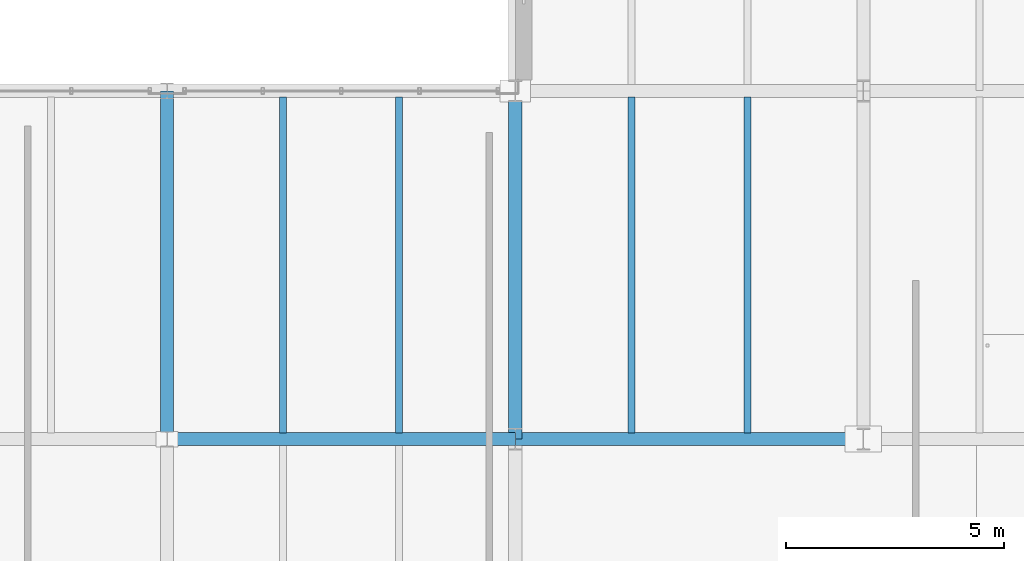
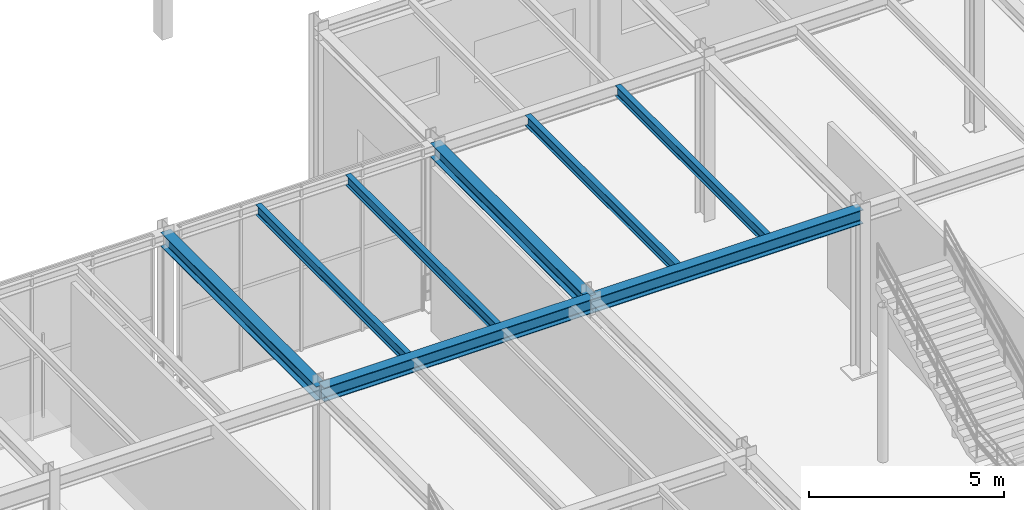
# One storey, part 37 of 129: 8 beams.
"""IFC4 building model written with IfcOpenShell, lengths in metres."""

from ifc_helpers import new_model, si_unit, direction, frame, origin, origin_2d, place, context, subcontext, project, spatial, i_section, extrude, material, material_profile, profile_set, type_object, element, save


model = new_model("IFC4")

# Units and contexts
model_context = context("Model", 3, precision=1e-05, world=origin(), true_north=direction((0.0, 1.0)))
body_context = subcontext(model_context, "Body", "Model", "MODEL_VIEW")
ifc_project = project(units=[si_unit("LENGTHUNIT", "METRE"), si_unit("AREAUNIT", "SQUARE_METRE"), si_unit("VOLUMEUNIT", "CUBIC_METRE"), si_unit("PLANEANGLEUNIT", "RADIAN"), si_unit("MASSUNIT", "GRAM", prefix="KILO")], contexts=[model_context])

# Site, building, storey
site_placement = place(None, origin())
site = spatial("IfcSite", under=ifc_project, at=site_placement, CompositionType="ELEMENT")
building_placement = place(site_placement, origin())
building = spatial("IfcBuilding", under=site, at=building_placement, Name="Sundkrona Museum", CompositionType="ELEMENT")
storey_placement = place(building_placement, origin())
storey = spatial("IfcBuildingStorey", under=building, at=storey_placement, Name="L00", CompositionType="ELEMENT", Elevation=0.0)

# Beams
ifc_material = material(Name="Steel S355J2", Category="steel")
ifc_material_profile_1 = material_profile(ifc_material, i_section(OverallWidth=0.300048828125, OverallDepth=0.43994140625, WebThickness=0.011474609375, FlangeThickness=0.02099609375, FilletRadius=0.027099609375, at=origin_2d()), Name="HEA 450")
ifc_profile_set_1 = profile_set([ifc_material_profile_1], Name="Steel S355J2")
beam_type_1 = type_object("IfcBeamType", Name="B-HEA450", PredefinedType="BEAM", material=ifc_profile_set_1)
for number, where, z_axis, x_axis, name in (
    (1, (112.0, 32.0, 4.919921875), (1.0, 0.0, 0.0), (0.0, 1.0, 0.0), "L00 Girder X-0461"),
    (2, (120.0, 32.0, 4.919921875), (1.0, 0.0, 0.0), (0.0, 1.0, 0.0), "L00 Girder X-0462"),
    (3, (112.0, 32.0, 4.919921875), (0.0, 1.0, 0.0), (-1.0, 0.0, 0.0), "L00 Girder Y-0720"),
    (4, (120.0, 32.0, 4.919921875), (0.0, 1.0, 0.0), (-1.0, 0.0, 0.0), "L00 Girder Y-0730"),
):
    element("IfcBeam", number, at=place(storey_placement, frame(where, z_axis=z_axis, x_axis=x_axis)), inside=storey, type_object=beam_type_1, Name=name, PredefinedType="BEAM", context=body_context, shape_type="SweptSolid", body=[
        extrude(i_section(OverallWidth=0.300048828125, OverallDepth=0.43994140625, WebThickness=0.011474609375, FlangeThickness=0.02099609375, FilletRadius=0.027099609375, at=origin_2d()), origin(), (0.0, 0.0, 1.0), 8.0),
    ])
ifc_material_profile_2 = material_profile(ifc_material, i_section(OverallWidth=0.159912109375, OverallDepth=0.330078125, WebThickness=0.007568359375, FlangeThickness=0.011474609375, FilletRadius=0.01806640625, at=origin_2d()), Name="IPE 330")
ifc_profile_set_2 = profile_set([ifc_material_profile_2], Name="Steel S355J2")
beam_type_2 = type_object("IfcBeamType", Name="J-IPE330", PredefinedType="JOIST", material=ifc_profile_set_2)
for number, where, z_axis, x_axis, name in (
    (5, (114.666748046875, 32.14404296875, 4.97509765625), (0.0, 1.0, 0.0), (-1.0, 0.0, 0.0), "L00 Composite Joist 0453"),
    (6, (117.333251953125, 32.14404296875, 4.97509765625), (0.0, 1.0, 0.0), (-1.0, 0.0, 0.0), "L00 Composite Joist 0454"),
    (7, (122.666748046875, 32.14404296875, 4.97509765625), (0.0, 1.0, 0.0), (-1.0, 0.0, 0.0), "L00 Composite Joist 0457"),
    (8, (125.333251953125, 32.14404296875, 4.97509765625), (0.0, 1.0, 0.0), (-1.0, 0.0, 0.0), "L00 Composite Joist 0458"),
):
    element("IfcBeam", number, at=place(storey_placement, frame(where, z_axis=z_axis, x_axis=x_axis)), inside=storey, type_object=beam_type_2, Name=name, PredefinedType="JOIST", context=body_context, shape_type="SweptSolid", body=[
        extrude(i_section(OverallWidth=0.159912109375, OverallDepth=0.330078125, WebThickness=0.007568359375, FlangeThickness=0.011474609375, FilletRadius=0.01806640625, at=origin_2d()), origin(), (0.0, 0.0, 1.0), 7.7119140625),
    ])

save(model, "model.ifc")
